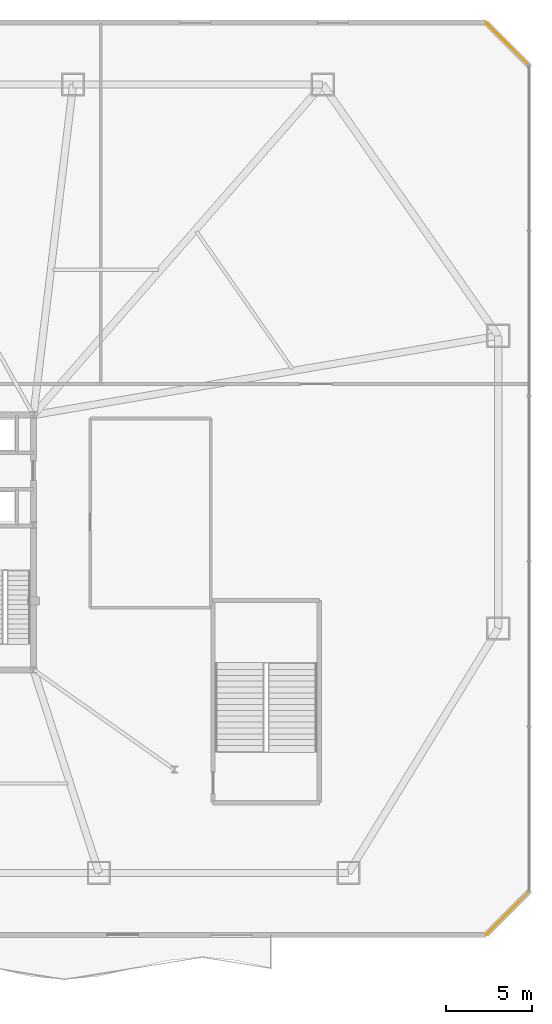
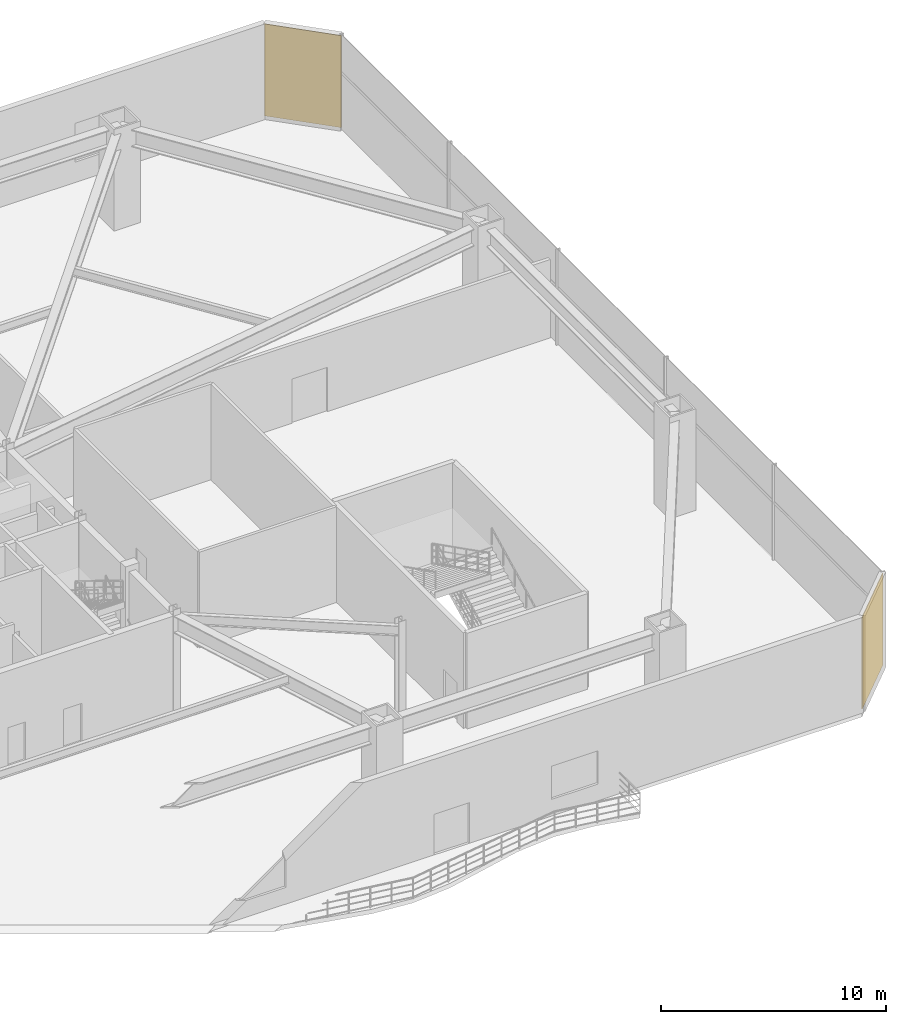
# One storey, part 20 of 20: 2 coverings.
"""IFC4 building model written with IfcOpenShell, lengths in metres."""

from ifc_helpers import new_model, si_unit, direction, frame, frame_2d, origin, place, context, subcontext, project, spatial, rectangle, extrude, material, layer, layer_set, type_object, element, save


model = new_model("IFC4")

# Units and contexts
model_context = context("Model", 3, precision=1e-05, world=origin(), true_north=direction((0.0, 1.0)))
body_context = subcontext(model_context, "Body", "Model", "MODEL_VIEW")
ifc_project = project(units=[si_unit("LENGTHUNIT", "METRE"), si_unit("AREAUNIT", "SQUARE_METRE"), si_unit("VOLUMEUNIT", "CUBIC_METRE"), si_unit("PLANEANGLEUNIT", "RADIAN"), si_unit("MASSUNIT", "GRAM", prefix="KILO")], contexts=[model_context])

# Site, building, storey
site_placement = place(None, origin())
site = spatial("IfcSite", under=ifc_project, at=site_placement, CompositionType="ELEMENT")
building_placement = place(site_placement, origin())
building = spatial("IfcBuilding", under=site, at=building_placement, Name="Varakhsha Concourse Tower", CompositionType="ELEMENT")
storey_placement = place(building_placement, frame((0.0, 0.0, 11.0)))
storey = spatial("IfcBuildingStorey", under=building, at=storey_placement, Name="L03", CompositionType="ELEMENT", Elevation=11.0)

# Coverings
ifc_material = material(Name="Samarkand Glazed Terracotta Rainscreen Tile 32 mm", Category="masonry")
ifc_layer = layer(ifc_material, 0.031982421875, Name="COV-RAINSCREEN-32")
ifc_layer_set = layer_set([ifc_layer], Name="Samarkand Glazed Terracotta Rainscreen Tile 32 mm")
covering_type = type_object("IfcCoveringType", Name="COV-RAINSCREEN-32", PredefinedType="CLADDING", material=ifc_layer_set)
for number, where, z_axis, x_axis, name in (
    (1, (74.5, 1.0, 0.10009765625), (0.0, 0.0, 1.0), (0.707106781187, 0.707106781187, 0.0), "L03 Terracotta Rainscreen Cladding 1"),
    (2, (77.0, 51.5, 0.10009765625), (0.0, 0.0, 1.0), (-0.707106781187, 0.707106781187, 0.0), "L03 Terracotta Rainscreen Cladding 3"),
):
    element("IfcCovering", number, at=place(storey_placement, frame(where, z_axis=z_axis, x_axis=x_axis)), inside=storey, type_object=covering_type, Name=name, PredefinedType="CLADDING", context=body_context, shape_type="SweptSolid", body=[
        extrude(rectangle(XDim=3.53564453125, YDim=0.031982421875, at=frame_2d((1.767822265625, 0.0))), origin(), (0.0, 0.0, 1.0), 4.97998046875),
    ])

save(model, "model.ifc")
